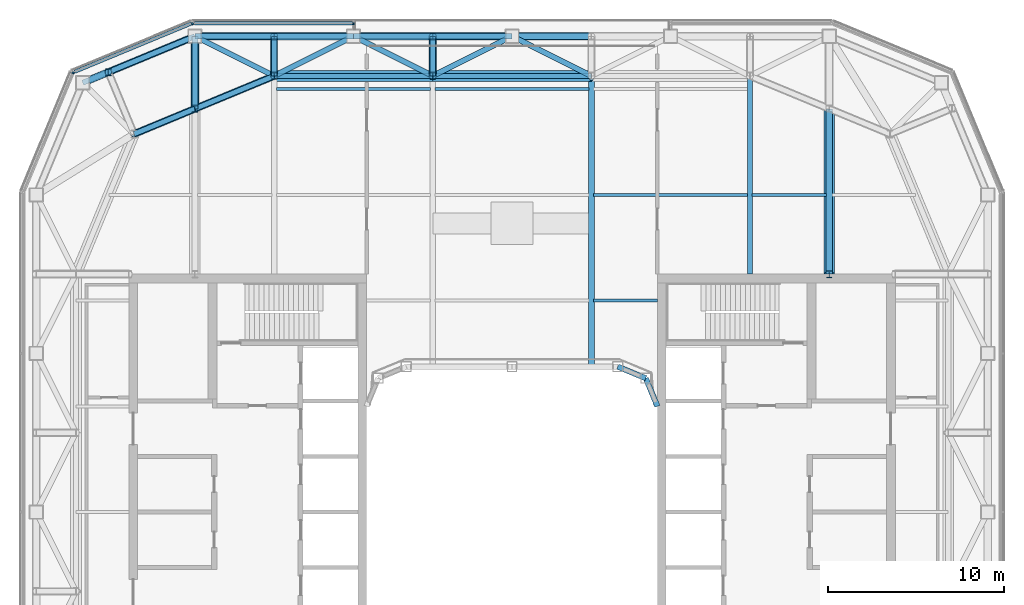
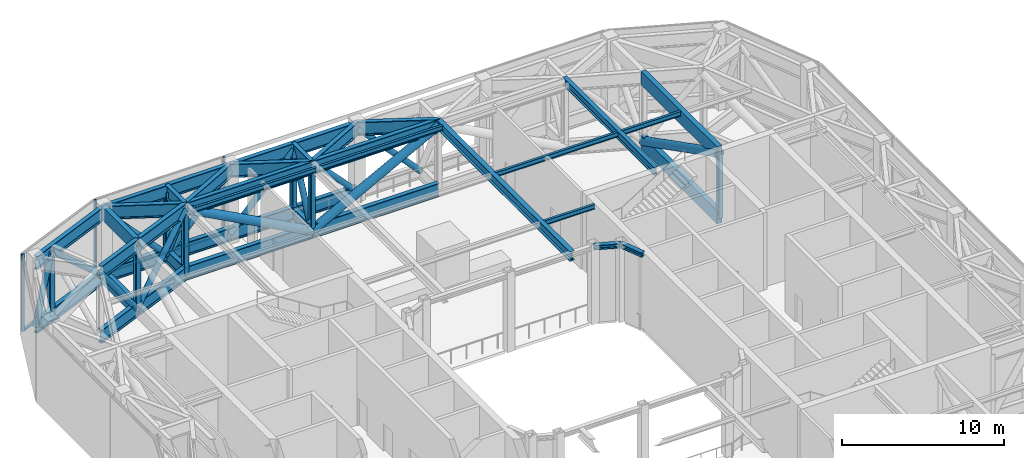
# One storey, part 7 of 21: 36 beams, 27 members, 3 elements without a shape of their own.
"""IFC4 building model written with IfcOpenShell, lengths in metres."""

from ifc_helpers import new_model, si_unit, direction, frame, origin, origin_2d, place, context, subcontext, project, spatial, rectangle, hollow_rectangle, hollow_circle, i_section, extrude, material, layer, layer_set, material_profile, profile_set, type_object, element, aggregate, save


model = new_model("IFC4")

# Units and contexts
model_context = context("Model", 3, precision=1e-05, world=origin(), true_north=direction((0.0, 1.0)))
body_context = subcontext(model_context, "Body", "Model", "MODEL_VIEW")
ifc_project = project(units=[si_unit("LENGTHUNIT", "METRE"), si_unit("AREAUNIT", "SQUARE_METRE"), si_unit("VOLUMEUNIT", "CUBIC_METRE"), si_unit("PLANEANGLEUNIT", "RADIAN"), si_unit("MASSUNIT", "GRAM", prefix="KILO")], contexts=[model_context])

# Site, building, storey
site_placement = place(None, origin())
site = spatial("IfcSite", under=ifc_project, at=site_placement, CompositionType="ELEMENT")
building_placement = place(site_placement, origin())
building = spatial("IfcBuilding", under=site, at=building_placement, Name="Siwar Civic Tower", CompositionType="ELEMENT")
storey_placement = place(building_placement, frame((0.0, 0.0, 278.199951171875)))
storey = spatial("IfcBuildingStorey", under=building, at=storey_placement, Name="L60", CompositionType="ELEMENT", Elevation=278.199951171875)

# Curtain wall, member
ifc_material_1 = material(Name="Aluminium and glass", Category="aluminium")
ifc_layer = layer(ifc_material_1, 0.199951171875)
ifc_layer_set = layer_set([ifc_layer], Name="Aluminium and glass")
curtain_wall_type = type_object("IfcCurtainWallType", Name="ENV-CW-P", PredefinedType="NOTDEFINED", material=ifc_layer_set)
curtain_wall_1_placement = place(storey_placement, origin())
curtain_wall_1 = element("IfcCurtainWall", 1, at=curtain_wall_1_placement, inside=storey, type_object=curtain_wall_type, Name="Curtain wall P N-03", PredefinedType="NOTDEFINED")
ifc_material_2 = material(Name="Aluminium 6063-T6", Category="aluminium")
ifc_material_profile_1 = material_profile(ifc_material_2, rectangle(XDim=0.199951171875, YDim=0.10009765625, at=origin_2d()), Name="AL 200x100")
ifc_profile_set_1 = profile_set([ifc_material_profile_1], Name="Aluminium 6063-T6")
member_type_1 = type_object("IfcMemberType", Name="ENV-MULLION-P", PredefinedType="MULLION", material=ifc_profile_set_1)
member_1_placement = place(storey_placement, frame((-9.0, 27.75, 0.0), z_axis=(0.0, 0.0, 1.0), x_axis=(0.0, -1.0, 0.0)))
member_1 = element("IfcMember", 2, at=member_1_placement, type_object=member_type_1, Name="Mullion P N-03 1", PredefinedType="MULLION", context=body_context, shape_type="SweptSolid", body=[
    extrude(rectangle(XDim=0.199951171875, YDim=0.10009765625, at=origin_2d()), origin(), (0.0, 0.0, 1.0), 5.800048828125),
])

curtain_wall_2_placement = place(storey_placement, origin())
curtain_wall_2 = element("IfcCurtainWall", 3, at=curtain_wall_2_placement, inside=storey, type_object=curtain_wall_type, Name="Curtain wall P NW1", PredefinedType="NOTDEFINED")
member_2_placement = place(storey_placement, frame((-18.149169921875, 27.75, 0.0), z_axis=(0.0, 0.0, 1.0), x_axis=(0.382683432365, -0.923879532511, 0.0)))
member_2 = element("IfcMember", 4, at=member_2_placement, type_object=member_type_1, Name="Mullion P NW1 1", PredefinedType="MULLION", context=body_context, shape_type="SweptSolid", body=[
    extrude(rectangle(XDim=0.199951171875, YDim=0.10009765625, at=origin_2d()), origin(), (0.0, 0.0, 1.0), 5.800048828125),
])

curtain_wall_3_placement = place(storey_placement, origin())
curtain_wall_3 = element("IfcCurtainWall", 5, at=curtain_wall_3_placement, inside=storey, type_object=curtain_wall_type, Name="Curtain wall P NW2", PredefinedType="NOTDEFINED")
member_3_placement = place(storey_placement, frame((-24.93798828125, 24.93798828125, 0.0), z_axis=(0.0, 0.0, 1.0), x_axis=(0.923879532511, -0.382683432365, 0.0)))
member_3 = element("IfcMember", 6, at=member_3_placement, type_object=member_type_1, Name="Mullion P NW2 1", PredefinedType="MULLION", context=body_context, shape_type="SweptSolid", body=[
    extrude(rectangle(XDim=0.199951171875, YDim=0.10009765625, at=origin_2d()), origin(), (0.0, 0.0, 1.0), 5.800048828125),
])
aggregate(curtain_wall_3, [member_3])

# Member
ifc_material_3 = material(Name="Aluminium 6063-T6", Category="aluminium")
ifc_material_profile_2 = material_profile(ifc_material_3, rectangle(XDim=0.199951171875, YDim=0.1201171875, at=origin_2d()), Name="AL 200x120")
ifc_profile_set_2 = profile_set([ifc_material_profile_2], Name="Aluminium 6063-T6")
member_type_2 = type_object("IfcMemberType", Name="ENV-TRANSOM-P", PredefinedType="USERDEFINED", material=ifc_profile_set_2)
member_4_placement = place(storey_placement, frame((-9.050048828125, 27.75, 0.06005859375), z_axis=(-1.0, 0.0, 0.0), x_axis=(0.0, -1.0, 0.0)))
member_4 = element("IfcMember", 7, at=member_4_placement, type_object=member_type_2, Name="Transom P N-03 1", ObjectType="TRANSOM", PredefinedType="USERDEFINED", context=body_context, shape_type="SweptSolid", body=[
    extrude(rectangle(XDim=0.199951171875, YDim=0.1201171875, at=origin_2d()), origin(), (0.0, 0.0, 1.0), 8.97314453125),
])

aggregate(curtain_wall_1, [member_1, member_4])

member_5_placement = place(storey_placement, frame((-18.1953125, 27.73095703125, 0.06005859375), z_axis=(-0.923881582012, -0.382678484395, 0.0), x_axis=(0.382678484395, -0.923881582012, 0.0)))
member_5 = element("IfcMember", 8, at=member_5_placement, type_object=member_type_2, Name="Transom P NW1 1", ObjectType="TRANSOM", PredefinedType="USERDEFINED", context=body_context, shape_type="SweptSolid", body=[
    extrude(rectangle(XDim=0.199951171875, YDim=0.1201171875, at=origin_2d()), origin(), (0.0, 0.0, 1.0), 7.172119140625),
])

aggregate(curtain_wall_2, [member_2, member_5])

# Beams
ifc_material_4 = material(Name="Steel S460", Category="steel")
ifc_material_profile_3 = material_profile(ifc_material_4, i_section(OverallWidth=0.302001953125, OverallDepth=1.008056640625, WebThickness=0.02099609375, FlangeThickness=0.0400390625, FilletRadius=0.030029296875, at=origin_2d()), Name="HEM1000")
ifc_profile_set_3 = profile_set([ifc_material_profile_3], Name="Steel S460")
beam_type_1 = type_object("IfcBeamType", Name="STR-BELT-TRUSS-CHORD-HEM1000", PredefinedType="BEAM", material=ifc_profile_set_3)
for number, where, z_axis, x_axis, name in (
    (9, (4.5, 24.75, 0.504150390625), (-1.0, 0.0, 0.0), (0.0, -1.0, 0.0), "Belt truss chord"),
    (10, (4.5, 24.75, 5.296142578125), (-1.0, 0.0, 0.0), (0.0, -1.0, 0.0), "Belt truss chord"),
    (11, (-4.5, 24.75, 0.504150390625), (-1.0, 0.0, 0.0), (0.0, -1.0, 0.0), "Belt truss chord"),
    (12, (-4.5, 24.75, 5.296142578125), (-1.0, 0.0, 0.0), (0.0, -1.0, 0.0), "Belt truss chord"),
):
    element("IfcBeam", number, at=place(storey_placement, frame(where, z_axis=z_axis, x_axis=x_axis)), inside=storey, type_object=beam_type_1, Name=name, PredefinedType="BEAM", context=body_context, shape_type="SweptSolid", body=[
        extrude(i_section(OverallWidth=0.302001953125, OverallDepth=1.008056640625, WebThickness=0.02099609375, FlangeThickness=0.0400390625, FilletRadius=0.030029296875, at=origin_2d()), origin(), (0.0, 0.0, 1.0), 9.0),
    ])
for number, where, z_axis, x_axis, name in (
    (13, (-13.5, 24.75, 0.504150390625), (-0.923875711423, -0.382692657157, 0.0), (0.382692657157, -0.923875711423, 0.0), "Belt truss chord"),
    (14, (-13.5, 24.75, 5.296142578125), (-0.923875711423, -0.382692657157, 0.0), (0.382692657157, -0.923875711423, 0.0), "Belt truss chord"),
):
    element("IfcBeam", number, at=place(storey_placement, frame(where, z_axis=z_axis, x_axis=x_axis)), inside=storey, type_object=beam_type_1, Name=name, PredefinedType="BEAM", context=body_context, shape_type="SweptSolid", body=[
        extrude(i_section(OverallWidth=0.302001953125, OverallDepth=1.008056640625, WebThickness=0.02099609375, FlangeThickness=0.0400390625, FilletRadius=0.030029296875, at=origin_2d()), origin(), (0.0, 0.0, 1.0), 4.870849609375),
    ])
for number, where, z_axis, x_axis, name in (
    (15, (-18.0, 22.885986328125, 0.504150390625), (-0.923868824781, -0.382709282091, 0.0), (0.382709282091, -0.923868824781, 0.0), "Belt truss chord"),
    (16, (-18.0, 22.885986328125, 5.296142578125), (-0.923868824781, -0.382709282091, 0.0), (0.382709282091, -0.923868824781, 0.0), "Belt truss chord"),
):
    element("IfcBeam", number, at=place(storey_placement, frame(where, z_axis=z_axis, x_axis=x_axis)), inside=storey, type_object=beam_type_1, Name=name, PredefinedType="BEAM", context=body_context, shape_type="SweptSolid", body=[
        extrude(i_section(OverallWidth=0.302001953125, OverallDepth=1.008056640625, WebThickness=0.02099609375, FlangeThickness=0.0400390625, FilletRadius=0.030029296875, at=origin_2d()), origin(), (0.0, 0.0, 1.0), 3.739501953125),
    ])
for number, where, z_axis, x_axis, name in (
    (17, (0.0, 27.0, 0.504150390625), (-1.0, 0.0, 0.0), (0.0, -1.0, 0.0), "Belt truss chord"),
    (18, (0.0, 27.0, 5.296142578125), (-1.0, 0.0, 0.0), (0.0, -1.0, 0.0), "Belt truss chord"),
    (19, (-9.0, 27.0, 0.504150390625), (-1.0, 0.0, 0.0), (0.0, -1.0, 0.0), "Belt truss chord"),
    (20, (-9.0, 27.0, 5.296142578125), (-1.0, 0.0, 0.0), (0.0, -1.0, 0.0), "Belt truss chord"),
):
    element("IfcBeam", number, at=place(storey_placement, frame(where, z_axis=z_axis, x_axis=x_axis)), inside=storey, type_object=beam_type_1, Name=name, PredefinedType="BEAM", context=body_context, shape_type="SweptSolid", body=[
        extrude(i_section(OverallWidth=0.302001953125, OverallDepth=1.008056640625, WebThickness=0.02099609375, FlangeThickness=0.0400390625, FilletRadius=0.030029296875, at=origin_2d()), origin(), (0.0, 0.0, 1.0), 9.0),
    ])
for number, where, z_axis, x_axis, name in (
    (21, (-18.0, 27.0, 0.504150390625), (-0.923883353507, -0.382674207535, 0.0), (0.382674207535, -0.923883353507, 0.0), "Belt truss chord"),
    (22, (-18.0, 27.0, 5.296142578125), (-0.923883353507, -0.382674207535, 0.0), (0.382674207535, -0.923883353507, 0.0), "Belt truss chord"),
):
    element("IfcBeam", number, at=place(storey_placement, frame(where, z_axis=z_axis, x_axis=x_axis)), inside=storey, type_object=beam_type_1, Name=name, PredefinedType="BEAM", context=body_context, shape_type="SweptSolid", body=[
        extrude(i_section(OverallWidth=0.302001953125, OverallDepth=1.008056640625, WebThickness=0.02099609375, FlangeThickness=0.0400390625, FilletRadius=0.030029296875, at=origin_2d()), origin(), (0.0, 0.0, 1.0), 6.888427734375),
    ])

# Members
ifc_material_5 = material(Name="Steel S355", Category="steel")
ifc_material_profile_4 = material_profile(ifc_material_5, hollow_circle(Radius=0.203125, WallThickness=0.01611328125, at=origin_2d()), Name="CHS406.4x16")
ifc_profile_set_4 = profile_set([ifc_material_profile_4], Name="Steel S355")
member_type_3 = type_object("IfcMemberType", Name="STR-BELT-TRUSS-DIAGONAL-CHS406.4x16", PredefinedType="BRACE", material=ifc_profile_set_4)
member_6_placement = place(storey_placement, frame((-18.003173828125, 22.884765625, 0.50048828125), z_axis=(0.658560782999, 0.272800723091, 0.701339761155), x_axis=(-0.382702489371, 0.923871638611, 0.0)))
element("IfcMember", 23, at=member_6_placement, inside=storey, type_object=member_type_3, Name="Belt truss diagonal", PredefinedType="BRACE", context=body_context, shape_type="SweptSolid", body=[
    extrude(hollow_circle(Radius=0.203125, WallThickness=0.01611328125, at=origin_2d()), origin(), (0.0, 0.0, 1.0), 6.8427734375),
])
member_7_placement = place(storey_placement, frame((-17.9970703125, 22.88720703125, 0.5), z_axis=(-0.568386651016, -0.235414322971, 0.78836331186), x_axis=(0.38265688181, -0.923890529664, 0.0)))
element("IfcMember", 24, at=member_7_placement, inside=storey, type_object=member_type_3, Name="Belt truss diagonal", PredefinedType="BRACE", context=body_context, shape_type="SweptSolid", body=[
    extrude(hollow_circle(Radius=0.203125, WallThickness=0.01611328125, at=origin_2d()), origin(), (0.0, 0.0, 1.0), 6.088623046875),
])
for number, where, z_axis, x_axis, name in (
    (25, (4.50341796875, 27.0, 0.50048828125), (-0.684545317859, 0.0, 0.728970306526), (0.0, -1.0, 0.0), "Belt truss diagonal"),
    (26, (0.00341796875, 27.0, 0.50048828125), (-0.684545317859, 0.0, 0.728970306526), (0.0, -1.0, 0.0), "Belt truss diagonal"),
    (27, (-9.00341796875, 27.0, 0.50048828125), (0.684545317859, 0.0, 0.728970306526), (0.0, 1.0, 0.0), "Belt truss diagonal"),
    (28, (-13.50341796875, 27.0, 0.50048828125), (0.684545317859, 0.0, 0.728970306526), (0.0, 1.0, 0.0), "Belt truss diagonal"),
    (29, (-13.49658203125, 27.0, 0.50048828125), (-0.684545317859, 0.0, 0.728970306526), (0.0, -1.0, 0.0), "Belt truss diagonal"),
):
    element("IfcMember", number, at=place(storey_placement, frame(where, z_axis=z_axis, x_axis=x_axis)), inside=storey, type_object=member_type_3, Name=name, PredefinedType="BRACE", context=body_context, shape_type="SweptSolid", body=[
        extrude(hollow_circle(Radius=0.203125, WallThickness=0.01611328125, at=origin_2d()), origin(), (0.0, 0.0, 1.0), 6.583740234375),
    ])
member_8_placement = place(storey_placement, frame((-17.99658203125, 27.00146484375, 0.500732421875), z_axis=(-0.686111720661, -0.284196149478, 0.669688924348), x_axis=(0.382682707675, -0.923879832688, 0.0)))
element("IfcMember", 30, at=member_8_placement, inside=storey, type_object=member_type_3, Name="Belt truss diagonal", PredefinedType="BRACE", context=body_context, shape_type="SweptSolid", body=[
    extrude(hollow_circle(Radius=0.203125, WallThickness=0.01611328125, at=origin_2d()), origin(), (0.0, 0.0, 1.0), 7.165283203125),
])
member_9_placement = place(storey_placement, frame((-24.365478515625, 24.36328125, 0.499267578125), z_axis=(0.288386442093, 0.119460581457, 0.950032857061), x_axis=(-0.382702589557, 0.92387159711, 0.0)))
element("IfcMember", 31, at=member_9_placement, inside=storey, type_object=member_type_3, Name="Belt truss diagonal", PredefinedType="BRACE", context=body_context, shape_type="SweptSolid", body=[
    extrude(hollow_circle(Radius=0.203125, WallThickness=0.01611328125, at=origin_2d()), origin(), (0.0, 0.0, 1.0), 5.053955078125),
])
for number, where, z_axis, x_axis, name in (
    (32, (-4.5, 24.747802734375, 0.49951171875), (0.0, 0.425038765055, 0.905175147803), (-1.0, 0.0, 0.0), "Belt truss diagonal"),
    (33, (-13.5, 27.002197265625, 0.49951171875), (0.0, -0.425038765055, 0.905175147803), (1.0, 0.0, 0.0), "Belt truss diagonal"),
):
    element("IfcMember", number, at=place(storey_placement, frame(where, z_axis=z_axis, x_axis=x_axis)), inside=storey, type_object=member_type_3, Name=name, PredefinedType="BRACE", context=body_context, shape_type="SweptSolid", body=[
        extrude(hollow_circle(Radius=0.203125, WallThickness=0.01611328125, at=origin_2d()), origin(), (0.0, 0.0, 1.0), 5.303955078125),
    ])
ifc_material_6 = material(Name="Steel S355", Category="steel")
ifc_material_profile_5 = material_profile(ifc_material_6, hollow_circle(Radius=0.304931640625, WallThickness=0.030029296875, at=origin_2d()), Name="CHS610x30")
ifc_profile_set_5 = profile_set([ifc_material_profile_5], Name="Steel S355")
member_type_4 = type_object("IfcMemberType", Name="STR-BELT-TRUSS-DIAGONAL-CHS610x30", PredefinedType="BRACE", material=ifc_profile_set_5)
for number, where, z_axis, x_axis, name in (
    (34, (-4.50439453125, 24.75, 0.501708984375), (0.882680501151, 0.0, 0.469973544881), (0.0, 1.0, 0.0), "Belt truss diagonal"),
    (35, (-4.49560546875, 24.75, 0.501708984375), (-0.882680501151, 0.0, 0.469973544881), (0.0, -1.0, 0.0), "Belt truss diagonal"),
):
    element("IfcMember", number, at=place(storey_placement, frame(where, z_axis=z_axis, x_axis=x_axis)), inside=storey, type_object=member_type_4, Name=name, PredefinedType="BRACE", context=body_context, shape_type="SweptSolid", body=[
        extrude(hollow_circle(Radius=0.304931640625, WallThickness=0.030029296875, at=origin_2d()), origin(), (0.0, 0.0, 1.0), 10.2060546875),
    ])

# Beams
ifc_material_7 = material(Name="Steel S460", Category="steel")
ifc_material_profile_6 = material_profile(ifc_material_7, i_section(OverallWidth=0.302001953125, OverallDepth=1.008056640625, WebThickness=0.02099609375, FlangeThickness=0.0400390625, FilletRadius=0.030029296875, at=origin_2d()), Name="HEM1000")
ifc_profile_set_6 = profile_set([ifc_material_profile_6], Name="Steel S460")
beam_type_2 = type_object("IfcBeamType", Name="STR-BELT-TRUSS-LADDER-CHORD-HEM1000", PredefinedType="BEAM", material=ifc_profile_set_6)
for number, where, z_axis, x_axis, name in (
    (36, (-4.5, 24.75, 0.504150390625), (0.0, 1.0, 0.0), (-1.0, 0.0, 0.0), "Belt truss ladder chord"),
    (37, (-4.5, 24.75, 5.296142578125), (0.0, 1.0, 0.0), (-1.0, 0.0, 0.0), "Belt truss ladder chord"),
    (38, (-13.5, 24.75, 0.504150390625), (0.0, 1.0, 0.0), (-1.0, 0.0, 0.0), "Belt truss ladder chord"),
    (39, (-13.5, 24.75, 5.296142578125), (0.0, 1.0, 0.0), (-1.0, 0.0, 0.0), "Belt truss ladder chord"),
):
    element("IfcBeam", number, at=place(storey_placement, frame(where, z_axis=z_axis, x_axis=x_axis)), inside=storey, type_object=beam_type_2, Name=name, PredefinedType="BEAM", context=body_context, shape_type="SweptSolid", body=[
        extrude(i_section(OverallWidth=0.302001953125, OverallDepth=1.008056640625, WebThickness=0.02099609375, FlangeThickness=0.0400390625, FilletRadius=0.030029296875, at=origin_2d()), origin(), (0.0, 0.0, 1.0), 2.25),
    ])

# Members
ifc_material_8 = material(Name="Steel S355", Category="steel")
ifc_material_profile_7 = material_profile(ifc_material_8, i_section(OverallWidth=0.300048828125, OverallDepth=0.39990234375, WebThickness=0.013427734375, FlangeThickness=0.02392578125, FilletRadius=0.027099609375, at=origin_2d()), Name="HEB400")
ifc_profile_set_7 = profile_set([ifc_material_profile_7], Name="Steel S355")
member_type_5 = type_object("IfcMemberType", Name="STR-BELT-TRUSS-POST-HEB400", PredefinedType="POST", material=ifc_profile_set_7)
for number, where, z_axis, x_axis, name in (
    (40, (-22.909423828125, 24.966552734375, 0.504150390625), (0.0, 0.0, 1.0), (1.0, 0.0, 0.0), "Belt truss post"),
    (41, (-18.0, 22.885986328125, 0.504150390625), (0.0, 0.0, 1.0), (1.0, 0.0, 0.0), "Belt truss post"),
    (42, (-13.5, 24.75, 0.504150390625), (0.0, 0.0, 1.0), (1.0, 0.0, 0.0), "Belt truss post"),
    (43, (-13.5, 27.0, 0.504150390625), (0.0, 0.0, 1.0), (1.0, 0.0, 0.0), "Belt truss post"),
    (44, (-4.5, 24.75, 0.504150390625), (0.0, 0.0, 1.0), (1.0, 0.0, 0.0), "Belt truss post"),
    (45, (-4.5, 27.0, 0.504150390625), (0.0, 0.0, 1.0), (1.0, 0.0, 0.0), "Belt truss post"),
):
    element("IfcMember", number, at=place(storey_placement, frame(where, z_axis=z_axis, x_axis=x_axis)), inside=storey, type_object=member_type_5, Name=name, PredefinedType="POST", context=body_context, shape_type="SweptSolid", body=[
        extrude(i_section(OverallWidth=0.300048828125, OverallDepth=0.39990234375, WebThickness=0.013427734375, FlangeThickness=0.02392578125, FilletRadius=0.027099609375, at=origin_2d()), origin(), (0.0, 0.0, 1.0), 4.7919921875),
    ])

# Beams
ifc_material_9 = material(Name="Steel S355", Category="steel")
ifc_material_profile_8 = material_profile(ifc_material_9, i_section(OverallWidth=0.169921875, OverallDepth=0.360107421875, WebThickness=0.008056640625, FlangeThickness=0.0126953125, FilletRadius=0.01806640625, at=origin_2d()), Name="IPE360")
ifc_profile_set_8 = profile_set([ifc_material_profile_8], Name="Steel S355")
beam_type_3 = type_object("IfcBeamType", Name="STR-FB-IPE360", PredefinedType="JOIST", material=ifc_profile_set_8)
beam_1_placement = place(storey_placement, frame((4.6298828125, 12.0, 5.6201171875), z_axis=(1.0, 0.0, 0.0), x_axis=(0.0, 1.0, 0.0)))
element("IfcBeam", 46, at=beam_1_placement, inside=storey, type_object=beam_type_3, Name="L60/bm/F025", PredefinedType="JOIST", context=body_context, shape_type="SweptSolid", body=[
    extrude(i_section(OverallWidth=0.169921875, OverallDepth=0.360107421875, WebThickness=0.008056640625, FlangeThickness=0.0126953125, FilletRadius=0.01806640625, at=origin_2d()), origin(), (0.0, 0.0, 1.0), 3.6201171875),
])
beam_2_placement = place(storey_placement, frame((4.6298828125, 18.0, 5.6201171875), z_axis=(1.0, 0.0, 0.0), x_axis=(0.0, 1.0, 0.0)))
element("IfcBeam", 47, at=beam_2_placement, inside=storey, type_object=beam_type_3, Name="L60/bm/F031", PredefinedType="JOIST", context=body_context, shape_type="SweptSolid", body=[
    extrude(i_section(OverallWidth=0.169921875, OverallDepth=0.360107421875, WebThickness=0.008056640625, FlangeThickness=0.0126953125, FilletRadius=0.01806640625, at=origin_2d()), origin(), (0.0, 0.0, 1.0), 8.740234375),
])
beam_3_placement = place(storey_placement, frame((13.6298828125, 18.0, 5.6201171875), z_axis=(1.0, 0.0, 0.0), x_axis=(0.0, 1.0, 0.0)))
element("IfcBeam", 48, at=beam_3_placement, inside=storey, type_object=beam_type_3, Name="L60/bm/F032", PredefinedType="JOIST", context=body_context, shape_type="SweptSolid", body=[
    extrude(i_section(OverallWidth=0.169921875, OverallDepth=0.360107421875, WebThickness=0.008056640625, FlangeThickness=0.0126953125, FilletRadius=0.01806640625, at=origin_2d()), origin(), (0.0, 0.0, 1.0), 4.215087890625),
])
for number, where, z_axis, x_axis, name in (
    (49, (-13.3701171875, 24.0, 5.6201171875), (1.0, 0.0, 0.0), (0.0, 1.0, 0.0), "L60/bm/F034"),
    (50, (-4.3701171875, 24.0, 5.6201171875), (1.0, 0.0, 0.0), (0.0, 1.0, 0.0), "L60/bm/F035"),
):
    element("IfcBeam", number, at=place(storey_placement, frame(where, z_axis=z_axis, x_axis=x_axis)), inside=storey, type_object=beam_type_3, Name=name, PredefinedType="JOIST", context=body_context, shape_type="SweptSolid", body=[
        extrude(i_section(OverallWidth=0.169921875, OverallDepth=0.360107421875, WebThickness=0.008056640625, FlangeThickness=0.0126953125, FilletRadius=0.01806640625, at=origin_2d()), origin(), (0.0, 0.0, 1.0), 8.740234375),
    ])
ifc_material_10 = material(Name="Steel S460", Category="steel")
ifc_material_profile_9 = material_profile(ifc_material_10, hollow_rectangle(XDim=0.35009765625, YDim=1.008056640625, WallThickness=0.0400390625, at=origin_2d()), Name="BOX1008x350x40")
ifc_profile_set_9 = profile_set([ifc_material_profile_9], Name="Steel S460")
beam_type_4 = type_object("IfcBeamType", Name="STR-OUTRIGGER-TRUSS-CHORD-BOX1008x350x40", PredefinedType="BEAM", material=ifc_profile_set_9)
for number, where, z_axis, x_axis, name in (
    (51, (-18.0, 27.0, 0.504150390625), (0.0, -1.0, 0.0), (1.0, 0.0, 0.0), "Outrigger truss chord"),
    (52, (-18.0, 27.0, 5.296142578125), (0.0, -1.0, 0.0), (1.0, 0.0, 0.0), "Outrigger truss chord"),
):
    element("IfcBeam", number, at=place(storey_placement, frame(where, z_axis=z_axis, x_axis=x_axis)), inside=storey, type_object=beam_type_4, Name=name, PredefinedType="BEAM", context=body_context, shape_type="SweptSolid", body=[
        extrude(hollow_rectangle(XDim=0.35009765625, YDim=1.008056640625, WallThickness=0.0400390625, at=origin_2d()), origin(), (0.0, 0.0, 1.0), 4.114013671875),
    ])
for number, where, z_axis, x_axis, name in (
    (53, (18.0, 22.885986328125, 0.504150390625), (0.0, -1.0, 0.0), (1.0, 0.0, 0.0), "Outrigger truss chord"),
    (54, (18.0, 22.885986328125, 5.296142578125), (0.0, -1.0, 0.0), (1.0, 0.0, 0.0), "Outrigger truss chord"),
):
    element("IfcBeam", number, at=place(storey_placement, frame(where, z_axis=z_axis, x_axis=x_axis)), inside=storey, type_object=beam_type_4, Name=name, PredefinedType="BEAM", context=body_context, shape_type="SweptSolid", body=[
        extrude(hollow_rectangle(XDim=0.35009765625, YDim=1.008056640625, WallThickness=0.0400390625, at=origin_2d()), origin(), (0.0, 0.0, 1.0), 9.385986328125),
    ])

# Members
ifc_material_11 = material(Name="Steel S355", Category="steel")
ifc_material_profile_10 = material_profile(ifc_material_11, hollow_circle(Radius=0.228515625, WallThickness=0.02001953125, at=origin_2d()), Name="CHS457x20")
ifc_profile_set_10 = profile_set([ifc_material_profile_10], Name="Steel S355")
member_type_6 = type_object("IfcMemberType", Name="STR-OUTRIGGER-TRUSS-DIAGONAL-CHS457x20", PredefinedType="BRACE", material=ifc_profile_set_10)
member_10_placement = place(storey_placement, frame((-18.0, 27.003173828125, 0.500244140625), z_axis=(0.0, -0.651379194735, 0.758752360567), x_axis=(1.0, 0.0, 0.0)))
element("IfcMember", 55, at=member_10_placement, inside=storey, type_object=member_type_6, Name="Outrigger truss diagonal", PredefinedType="BRACE", context=body_context, shape_type="SweptSolid", body=[
    extrude(hollow_circle(Radius=0.228515625, WallThickness=0.02001953125, at=origin_2d()), origin(), (0.0, 0.0, 1.0), 6.32568359375),
])
ifc_material_12 = material(Name="Steel S355", Category="steel")
ifc_material_profile_11 = material_profile(ifc_material_12, hollow_circle(Radius=0.304931640625, WallThickness=0.030029296875, at=origin_2d()), Name="CHS610x30")
ifc_profile_set_11 = profile_set([ifc_material_profile_11], Name="Steel S355")
member_type_7 = type_object("IfcMemberType", Name="STR-OUTRIGGER-TRUSS-DIAGONAL-CHS610x30", PredefinedType="BRACE", material=ifc_profile_set_11)
member_11_placement = place(storey_placement, frame((18.0, 22.890380859375, 0.501708984375), z_axis=(0.0, -0.890632189347, 0.454724425667), x_axis=(1.0, 0.0, 0.0)))
element("IfcMember", 56, at=member_11_placement, inside=storey, type_object=member_type_7, Name="Outrigger truss diagonal", PredefinedType="BRACE", context=body_context, shape_type="SweptSolid", body=[
    extrude(hollow_circle(Radius=0.304931640625, WallThickness=0.030029296875, at=origin_2d()), origin(), (0.0, 0.0, 1.0), 10.54833984375),
])
ifc_material_13 = material(Name="Steel S355", Category="steel")
ifc_material_profile_12 = material_profile(ifc_material_13, i_section(OverallWidth=0.300048828125, OverallDepth=0.39990234375, WebThickness=0.013427734375, FlangeThickness=0.02392578125, FilletRadius=0.027099609375, at=origin_2d()), Name="HEB400")
ifc_profile_set_12 = profile_set([ifc_material_profile_12], Name="Steel S355")
member_type_8 = type_object("IfcMemberType", Name="STR-OUTRIGGER-TRUSS-POST-HEB400", PredefinedType="POST", material=ifc_profile_set_12)
member_12_placement = place(storey_placement, frame((18.0, 13.5, 0.504150390625), z_axis=(0.0, 0.0, 1.0), x_axis=(1.0, 0.0, 0.0)))
element("IfcMember", 57, at=member_12_placement, inside=storey, type_object=member_type_8, Name="Outrigger truss post", PredefinedType="POST", context=body_context, shape_type="SweptSolid", body=[
    extrude(i_section(OverallWidth=0.300048828125, OverallDepth=0.39990234375, WebThickness=0.013427734375, FlangeThickness=0.02392578125, FilletRadius=0.027099609375, at=origin_2d()), origin(), (0.0, 0.0, 1.0), 4.7919921875),
])

# Beams
ifc_material_14 = material(Name="Steel S355", Category="steel")
ifc_material_profile_13 = material_profile(ifc_material_14, i_section(OverallWidth=0.300048828125, OverallDepth=0.60009765625, WebThickness=0.015380859375, FlangeThickness=0.030029296875, FilletRadius=0.027099609375, at=origin_2d()), Name="HEB600")
ifc_profile_set_13 = profile_set([ifc_material_profile_13], Name="Steel S355")
beam_type_5 = type_object("IfcBeamType", Name="STR-PG-HEB600", PredefinedType="BEAM", material=ifc_profile_set_13)
beam_4_placement = place(storey_placement, frame((13.5, 13.5, 5.5), z_axis=(0.0, 1.0, 0.0), x_axis=(-1.0, 0.0, 0.0)))
element("IfcBeam", 58, at=beam_4_placement, inside=storey, type_object=beam_type_5, Name="L60/bm/G08", PredefinedType="BEAM", context=body_context, shape_type="SweptSolid", body=[
    extrude(i_section(OverallWidth=0.300048828125, OverallDepth=0.60009765625, WebThickness=0.015380859375, FlangeThickness=0.030029296875, FilletRadius=0.027099609375, at=origin_2d()), origin(), (0.0, 0.0, 1.0), 11.25),
])
ifc_material_15 = material(Name="Steel S355", Category="steel")
ifc_material_profile_14 = material_profile(ifc_material_15, i_section(OverallWidth=0.340087890625, OverallDepth=0.699951171875, WebThickness=0.013916015625, FlangeThickness=0.030029296875, at=origin_2d()), Name="PG700x340x14x30")
ifc_profile_set_14 = profile_set([ifc_material_profile_14], Name="Steel S355")
beam_type_6 = type_object("IfcBeamType", Name="STR-PG-PG700x340x14x30", PredefinedType="BEAM", material=ifc_profile_set_14)
beam_5_placement = place(storey_placement, frame((4.5, 8.25, 5.449951171875), z_axis=(0.0, 1.0, 0.0), x_axis=(-1.0, 0.0, 0.0)))
element("IfcBeam", 59, at=beam_5_placement, inside=storey, type_object=beam_type_6, Name="L60/bm/G06", PredefinedType="BEAM", context=body_context, shape_type="SweptSolid", body=[
    extrude(i_section(OverallWidth=0.340087890625, OverallDepth=0.699951171875, WebThickness=0.013916015625, FlangeThickness=0.030029296875, at=origin_2d()), origin(), (0.0, 0.0, 1.0), 16.5),
])
ifc_material_16 = material(Name="Steel S355", Category="steel")
ifc_material_profile_15 = material_profile(ifc_material_16, i_section(OverallWidth=0.31005859375, OverallDepth=0.340087890625, WebThickness=0.02099609375, FlangeThickness=0.0390625, FilletRadius=0.027099609375, at=origin_2d()), Name="HEM300")
ifc_profile_set_15 = profile_set([ifc_material_profile_15], Name="Steel S355")
beam_type_7 = type_object("IfcBeamType", Name="STR-RB-HEM300", PredefinedType="BEAM", material=ifc_profile_set_15)
for number, where, z_axis, x_axis, name in (
    (60, (6.0, 8.25, 5.630126953125), (0.923901072997, -0.382631424892, 0.0), (0.382631424892, 0.923901072997, 0.0), "L60/bm/RN3"),
    (61, (7.591064453125, 7.591064453125, 5.630126953125), (0.382631424892, -0.923901072997, 0.0), (0.923901072997, 0.382631424892, 0.0), "L60/bm/RNEE"),
):
    element("IfcBeam", number, at=place(storey_placement, frame(where, z_axis=z_axis, x_axis=x_axis)), inside=storey, type_object=beam_type_7, Name=name, PredefinedType="BEAM", context=body_context, shape_type="SweptSolid", body=[
        extrude(i_section(OverallWidth=0.31005859375, OverallDepth=0.340087890625, WebThickness=0.02099609375, FlangeThickness=0.0390625, FilletRadius=0.027099609375, at=origin_2d()), origin(), (0.0, 0.0, 1.0), 1.72216796875),
    ])
ifc_material_17 = material(Name="Steel S460", Category="steel")
ifc_material_profile_16 = material_profile(ifc_material_17, i_section(OverallWidth=0.302001953125, OverallDepth=1.008056640625, WebThickness=0.02099609375, FlangeThickness=0.0400390625, FilletRadius=0.030029296875, at=origin_2d()), Name="HEM1000")
ifc_profile_set_16 = profile_set([ifc_material_profile_16], Name="Steel S460")
beam_type_8 = type_object("IfcBeamType", Name="STR-TRANSFER-GIRDER-HEM1000", PredefinedType="BEAM", material=ifc_profile_set_16)
for number, where, z_axis, x_axis, name in (
    (62, (4.5, 24.75, 5.296142578125), (-0.894427191, 0.4472135955, 0.0), (-0.4472135955, -0.894427191, 0.0), "Transfer girder"),
    (63, (-4.5, 24.75, 5.296142578125), (-0.894427191, 0.4472135955, 0.0), (-0.4472135955, -0.894427191, 0.0), "Transfer girder"),
    (64, (-4.5, 24.75, 5.296142578125), (0.894427191, 0.4472135955, 0.0), (-0.4472135955, 0.894427191, 0.0), "Transfer girder"),
    (65, (-13.5, 24.75, 5.296142578125), (-0.894427191, 0.4472135955, 0.0), (-0.4472135955, -0.894427191, 0.0), "Transfer girder"),
    (66, (-13.5, 24.75, 5.296142578125), (0.894427191, 0.4472135955, 0.0), (-0.4472135955, 0.894427191, 0.0), "Transfer girder"),
):
    element("IfcBeam", number, at=place(storey_placement, frame(where, z_axis=z_axis, x_axis=x_axis)), inside=storey, type_object=beam_type_8, Name=name, PredefinedType="BEAM", context=body_context, shape_type="SweptSolid", body=[
        extrude(i_section(OverallWidth=0.302001953125, OverallDepth=1.008056640625, WebThickness=0.02099609375, FlangeThickness=0.0400390625, FilletRadius=0.030029296875, at=origin_2d()), origin(), (0.0, 0.0, 1.0), 5.03125),
    ])

save(model, "model.ifc")
